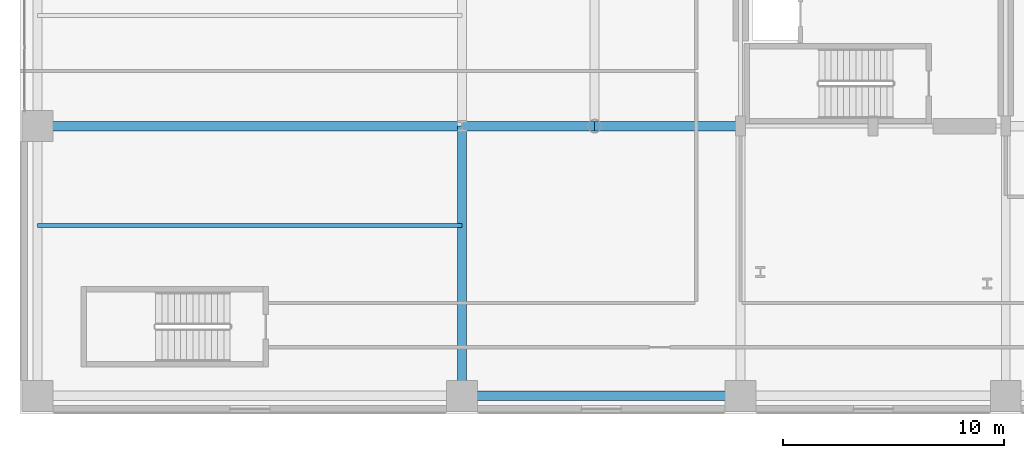
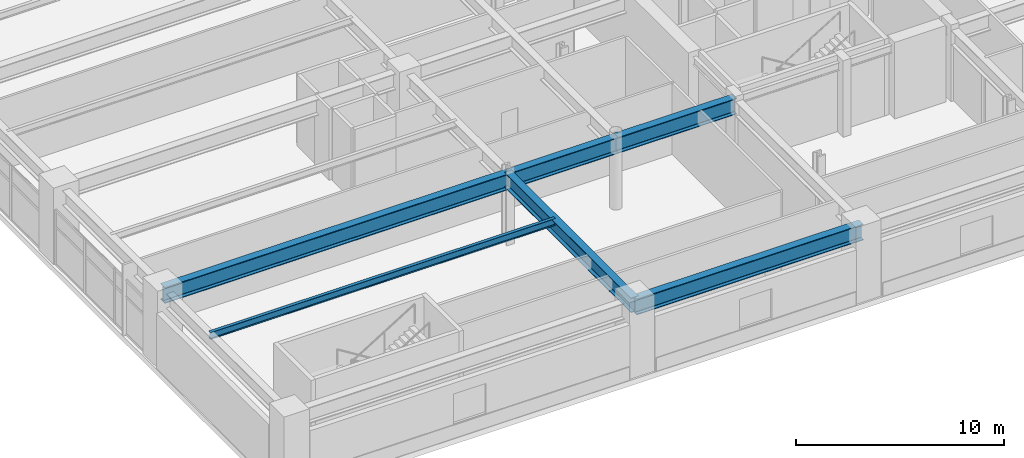
# One storey, part 6 of 28: 6 beams.
"""IFC4 building model written with IfcOpenShell, lengths in metres."""

import ifcopenshell
import ifcopenshell.guid

model = None  # the IFC model being written
_history = None  # IfcOwnerHistory: only IFC2X3 demands one
_inside = {}  # id of a spatial element -> (the spatial element, [elements in it])
_under = {}  # id of a project, library or spatial element -> (it, [spatial elements below it])
_declared = {}  # id of a project -> (the project, [libraries it declares])
_typed = {}  # id of a type object -> (the type object, [elements of that type])
_made_of = {}  # id of a material, layer set ... -> (it, [elements and type objects made of it])


def new_model(schema):
    """Start an empty IFC model of exactly this schema.

    Asked for "IFC4X3", IfcOpenShell would pick the latest addendum, in which some entities
    have other attributes; the version numbers below select the first issue.
    IFC2X3 requires an IfcOwnerHistory on every rooted entity: one is made here for all.
    """
    global model, _history
    if schema == "IFC4X3":
        model = ifcopenshell.file(schema_version=(4, 3, 0, 0))
    else:
        model = ifcopenshell.file(schema=schema)
    _inside.clear()
    _under.clear()
    _declared.clear()
    _typed.clear()
    _made_of.clear()
    _history = None
    if model.schema == "IFC2X3":
        org = make("IfcOrganization", Name="unknown")
        user = make(
            "IfcPersonAndOrganization",
            ThePerson=make("IfcPerson", FamilyName="unknown"),
            TheOrganization=org,
        )
        app = make(
            "IfcApplication",
            ApplicationDeveloper=org,
            Version="unknown",
            ApplicationFullName="unknown",
            ApplicationIdentifier="unknown",
        )
        _history = make(
            "IfcOwnerHistory",
            OwningUser=user,
            OwningApplication=app,
            ChangeAction="ADDED",
            CreationDate=0,
        )
    return model


def make(cls, **values):
    """One entity of the class cls with the attributes given. An attribute that is None is left unset."""
    return model.create_entity(
        cls, **{name: value for name, value in values.items() if value is not None}
    )


def rooted(cls, **values):
    """An entity with a GlobalId (a new one), such as an element, a storey or a relation."""
    return make(cls, GlobalId=ifcopenshell.guid.new(), OwnerHistory=_history, **values)


def si_unit(unit_type, name, prefix=None):
    """IfcSIUnit, for example si_unit("LENGTHUNIT", "METRE", prefix="MILLI")."""
    return make("IfcSIUnit", UnitType=unit_type, Prefix=prefix, Name=name)


def assignment(units):
    """IfcUnitAssignment: the units of a project."""
    return None if units is None else make("IfcUnitAssignment", Units=units)


def point(xyz):
    """IfcCartesianPoint."""
    return None if xyz is None else make("IfcCartesianPoint", Coordinates=xyz)


def direction(xyz):
    """IfcDirection."""
    return None if xyz is None else make("IfcDirection", DirectionRatios=xyz)


def frame(location, z_axis=None, x_axis=None):
    """IfcAxis2Placement3D, a coordinate frame: its origin and axes. An axis left out is left unset."""
    return make(
        "IfcAxis2Placement3D",
        Location=point(location),
        Axis=direction(z_axis),
        RefDirection=direction(x_axis),
    )


def frame_2d(location, x_axis=None):
    """IfcAxis2Placement2D, a coordinate frame in the plane: its origin and x axis."""
    return make(
        "IfcAxis2Placement2D", Location=point(location), RefDirection=direction(x_axis)
    )


def origin():
    """The frame at (0, 0, 0) with its axes left unset."""
    return frame((0.0, 0.0, 0.0))


def origin_2d():
    """The frame at (0, 0) in the plane with its x axis left unset."""
    return frame_2d((0.0, 0.0))


def place(relative_to, where):
    """IfcLocalPlacement: puts the frame where relative to a parent placement (None: the world)."""
    return make(
        "IfcLocalPlacement", PlacementRelTo=relative_to, RelativePlacement=where
    )


def context(
    kind, dimensions, precision=None, world=None, true_north=None, identifier=None
):
    """IfcGeometricRepresentationContext, for example the 3D "Model" context."""
    return make(
        "IfcGeometricRepresentationContext",
        ContextIdentifier=identifier,
        ContextType=kind,
        CoordinateSpaceDimension=dimensions,
        Precision=precision,
        WorldCoordinateSystem=world,
        TrueNorth=true_north,
    )


def subcontext(parent, identifier, kind, view, scale=None):
    """IfcGeometricRepresentationSubContext, for example "Body" below "Model"."""
    return make(
        "IfcGeometricRepresentationSubContext",
        ContextIdentifier=identifier,
        ContextType=kind,
        ParentContext=parent,
        TargetScale=scale,
        TargetView=view,
    )


def project(units=None, contexts=None):
    """IfcProject with its units and contexts."""
    return rooted(
        "IfcProject",
        Name="project",
        RepresentationContexts=contexts,
        UnitsInContext=assignment(units),
    )


def spatial(cls, under=None, at=None, **own):
    """A site, building, storey or space (cls), placed at a placement, below another one or the project."""
    s = rooted(cls, ObjectPlacement=at, **own)
    if under is not None:
        _under.setdefault(under.id(), (under, []))[1].append(s)
    return s


def profile(cls, at=None, kind="AREA", **sizes):
    """A parametric profile (cls). Its sizes go by their IFC names, for example OverallWidth=200.0."""
    return make(cls, ProfileType=kind, Position=at, **sizes)


def i_section(**sizes):
    """IfcIShapeProfileDef."""
    return profile("IfcIShapeProfileDef", **sizes)


def extrude(swept, where, along, depth):
    """IfcExtrudedAreaSolid: the profile swept, set in the frame where, extruded along a direction by depth."""
    return make(
        "IfcExtrudedAreaSolid",
        SweptArea=swept,
        Position=where,
        ExtrudedDirection=direction(along),
        Depth=depth,
    )


def shape(context_of_items, identifier, shape_type, items):
    """IfcShapeRepresentation: the items that make up one representation, for example the "Body"."""
    return make(
        "IfcShapeRepresentation",
        ContextOfItems=context_of_items,
        RepresentationIdentifier=identifier,
        RepresentationType=shape_type,
        Items=items,
    )


def material(Name=None, Category=None):
    """IfcMaterial."""
    return make("IfcMaterial", Name=Name, Category=Category)


def material_profile(
    of_material, cross_section, Name=None, Category=None, Priority=None
):
    """IfcMaterialProfile: a cross section and its material."""
    return make(
        "IfcMaterialProfile",
        Name=Name,
        Material=of_material,
        Profile=cross_section,
        Priority=Priority,
        Category=Category,
    )


def profile_set(profiles, Name=None, composite=None):
    """IfcMaterialProfileSet."""
    return make(
        "IfcMaterialProfileSet",
        Name=Name,
        MaterialProfiles=profiles,
        CompositeProfile=composite,
    )


def made_of(thing, what):
    """Note that an element or type object is made of a material, layer set ...; save() writes the relation."""
    if what is not None:
        _made_of.setdefault(what.id(), (what, []))[1].append(thing)
    return thing


def type_object(cls, material=None, **own):
    """A type object (cls), such as IfcWallType, which elements share."""
    return made_of(rooted(cls, **own), material)


def element(
    cls,
    number,
    at=None,
    inside=None,
    cuts=None,
    type_object=None,
    material=None,
    context=None,
    identifier="Body",
    shape_type=None,
    held_by="IfcProductDefinitionShape",
    body=None,
    shapes=None,
    **own,
):
    """One element of the class cls, such as IfcWall. Its Tag is "e" and its number.

    at: its placement. inside: the storey or other place that contains it. cuts: it is an
    opening in that element (IfcRelVoidsElement). A single representation is given by context,
    identifier, shape_type and body (its items); several are given by shapes. held_by: the class
    of the entity that holds the representations. save() writes the other relations.
    """
    e = rooted(cls, Tag="e%d" % number, ObjectPlacement=at, **own)
    if body is not None:
        shapes = [shape(context, identifier, shape_type, body)]
    if shapes is not None:
        e.Representation = make(held_by, Representations=shapes)
    if inside is not None:
        _inside.setdefault(inside.id(), (inside, []))[1].append(e)
    if cuts is not None:
        rooted(
            "IfcRelVoidsElement", RelatingBuildingElement=cuts, RelatedOpeningElement=e
        )
    if type_object is not None:
        _typed.setdefault(type_object.id(), (type_object, []))[1].append(e)
    return made_of(e, material)


def aggregate(whole, parts):
    """IfcRelAggregates: a whole, such as a stair, and the parts it consists of."""
    return rooted("IfcRelAggregates", RelatingObject=whole, RelatedObjects=parts)


def save(model, path):
    """Write the relations noted so far, then the file.

    IfcRelAggregates (storeys below a building ...), IfcRelContainedInSpatialStructure (elements
    in a storey), IfcRelDefinesByType, IfcRelAssociatesMaterial and IfcRelDeclares: one each for
    every whole, place, type object, material and project.
    """
    for whole, parts in _under.values():
        aggregate(whole, parts)
    for where, things in _inside.values():
        rooted(
            "IfcRelContainedInSpatialStructure",
            RelatedElements=things,
            RelatingStructure=where,
        )
    for kind, things in _typed.values():
        rooted("IfcRelDefinesByType", RelatedObjects=things, RelatingType=kind)
    for what, things in _made_of.values():
        rooted("IfcRelAssociatesMaterial", RelatedObjects=things, RelatingMaterial=what)
    for by, libraries in _declared.values():
        rooted("IfcRelDeclares", RelatingContext=by, RelatedDefinitions=libraries)
    model.write(path)


model = new_model("IFC4")

# Units and contexts
model_context = context("Model", 3, precision=1e-05, world=origin(), true_north=direction((0.0, 1.0)))
body_context = subcontext(model_context, "Body", "Model", "MODEL_VIEW")
ifc_project = project(units=[si_unit("LENGTHUNIT", "METRE"), si_unit("AREAUNIT", "SQUARE_METRE"), si_unit("VOLUMEUNIT", "CUBIC_METRE"), si_unit("PLANEANGLEUNIT", "RADIAN"), si_unit("MASSUNIT", "GRAM", prefix="KILO")], contexts=[model_context])

# Site, building, storey
site_placement = place(None, origin())
site = spatial("IfcSite", under=ifc_project, at=site_placement, CompositionType="ELEMENT")
building_placement = place(site_placement, origin())
building = spatial("IfcBuilding", under=site, at=building_placement, Name="Soratama Intermodal Tower", CompositionType="ELEMENT")
storey_placement = place(building_placement, frame((0.0, 0.0, 16.199951171875)))
storey = spatial("IfcBuildingStorey", under=building, at=storey_placement, Name="L03", CompositionType="ELEMENT", Elevation=16.199951171875)

# Beams
ifc_material_1 = material(Name="Structural steel ASTM A992 Grade 50", Category="steel")
ifc_material_profile_1 = material_profile(ifc_material_1, i_section(OverallWidth=0.177978515625, OverallDepth=0.406982421875, WebThickness=0.0078125, FlangeThickness=0.0126953125, FilletRadius=0.010009765625, at=origin_2d()), Name="W16X40")
ifc_profile_set_1 = profile_set([ifc_material_profile_1], Name="Structural steel ASTM A992 Grade 50")
beam_type_1 = type_object("IfcBeamType", Name="BM-JST-W16X40", PredefinedType="JOIST", material=ifc_profile_set_1)
beam_1_placement = place(storey_placement, frame((0.800048828125, 10.5, 3.9765625), z_axis=(1.0, 0.0, 0.0), x_axis=(0.0, 1.0, 0.0)))
element("IfcBeam", 1, at=beam_1_placement, inside=storey, type_object=beam_type_1, Name="JST-L03-W1", PredefinedType="JOIST", context=body_context, shape_type="SweptSolid", body=[
    extrude(i_section(OverallWidth=0.177978515625, OverallDepth=0.406982421875, WebThickness=0.0078125, FlangeThickness=0.0126953125, FilletRadius=0.010009765625, at=origin_2d()), origin(), (0.0, 0.0, 1.0), 19.199951171875),
])
ifc_material_2 = material(Name="Structural steel ASTM A992 Grade 50", Category="steel")
ifc_material_profile_2 = material_profile(ifc_material_2, i_section(OverallWidth=0.423095703125, OverallDepth=0.93896484375, WebThickness=0.02392578125, FlangeThickness=0.042724609375, FilletRadius=0.02392578125, at=origin_2d()), Name="W36X302")
ifc_profile_set_2 = profile_set([ifc_material_profile_2], Name="Structural steel ASTM A992 Grade 50")
beam_type_2 = type_object("IfcBeamType", Name="BM-POD-EXT-W36", PredefinedType="BEAM", material=ifc_profile_set_2)
beam_2_placement = place(storey_placement, frame((20.0, 2.800048828125, 3.71044921875), z_axis=(1.0, 0.0, 0.0), x_axis=(0.0, 1.0, 0.0)))
element("IfcBeam", 2, at=beam_2_placement, inside=storey, type_object=beam_type_2, Name="L03 Station Girder X1-2", PredefinedType="BEAM", context=body_context, shape_type="SweptSolid", body=[
    extrude(i_section(OverallWidth=0.423095703125, OverallDepth=0.93896484375, WebThickness=0.02392578125, FlangeThickness=0.042724609375, FilletRadius=0.02392578125, at=origin_2d()), origin(), (0.0, 0.0, 1.0), 12.60009765625),
])
ifc_material_3 = material(Name="Structural steel ASTM A992 Grade 50", Category="steel")
ifc_material_profile_3 = material_profile(ifc_material_3, i_section(OverallWidth=0.403076171875, OverallDepth=0.867919921875, WebThickness=0.02099609375, FlangeThickness=0.03564453125, FilletRadius=0.01806640625, at=origin_2d()), Name="W33X241")
ifc_profile_set_3 = profile_set([ifc_material_profile_3], Name="Structural steel ASTM A992 Grade 50")
beam_type_3 = type_object("IfcBeamType", Name="BM-POD-W33X241", PredefinedType="BEAM", material=ifc_profile_set_3)
beam_3_placement = place(storey_placement, frame((20.0, 2.800048828125, 3.74609375), z_axis=(0.0, 1.0, 0.0), x_axis=(-1.0, 0.0, 0.0)))
element("IfcBeam", 3, at=beam_3_placement, inside=storey, type_object=beam_type_3, Name="L03 Station Girder Y2-1", PredefinedType="BEAM", context=body_context, shape_type="SweptSolid", body=[
    extrude(i_section(OverallWidth=0.403076171875, OverallDepth=0.867919921875, WebThickness=0.02099609375, FlangeThickness=0.03564453125, FilletRadius=0.01806640625, at=origin_2d()), origin(), (0.0, 0.0, 1.0), 12.199951171875),
])
ifc_material_4 = material(Name="Structural steel ASTM A992 Grade 50", Category="steel")
ifc_material_profile_4 = material_profile(ifc_material_4, i_section(OverallWidth=0.423095703125, OverallDepth=0.93896484375, WebThickness=0.02392578125, FlangeThickness=0.042724609375, FilletRadius=0.02392578125, at=origin_2d()), Name="W36X302")
ifc_profile_set_4 = profile_set([ifc_material_profile_4], Name="Structural steel ASTM A992 Grade 50")
beam_type_4 = type_object("IfcBeamType", Name="BM-POD-W36X302", PredefinedType="BEAM", material=ifc_profile_set_4)
beam_4_placement = place(storey_placement, frame((0.800048828125, 15.0, 3.71044921875), z_axis=(1.0, 0.0, 0.0), x_axis=(0.0, 1.0, 0.0)))
element("IfcBeam", 4, at=beam_4_placement, inside=storey, type_object=beam_type_4, Name="L03 Station Girder X2-1", PredefinedType="BEAM", context=body_context, shape_type="SweptSolid", body=[
    extrude(i_section(OverallWidth=0.423095703125, OverallDepth=0.93896484375, WebThickness=0.02392578125, FlangeThickness=0.042724609375, FilletRadius=0.02392578125, at=origin_2d()), origin(), (0.0, 0.0, 1.0), 19.199951171875),
])
beam_5_placement = place(storey_placement, frame((20.0, 15.0, 3.71044921875), z_axis=(1.0, 0.0, 0.0), x_axis=(0.0, 1.0, 0.0)))
element("IfcBeam", 5, at=beam_5_placement, inside=storey, type_object=beam_type_4, Name="L03 Station Girder X2-2", PredefinedType="BEAM", context=body_context, shape_type="SweptSolid", body=[
    extrude(i_section(OverallWidth=0.423095703125, OverallDepth=0.93896484375, WebThickness=0.02392578125, FlangeThickness=0.042724609375, FilletRadius=0.02392578125, at=origin_2d()), origin(), (0.0, 0.0, 1.0), 6.0),
])
beam_6_placement = place(storey_placement, frame((26.0, 15.0, 3.71044921875), z_axis=(1.0, 0.0, 0.0), x_axis=(0.0, 1.0, 0.0)))
element("IfcBeam", 6, at=beam_6_placement, inside=storey, type_object=beam_type_4, Name="L03 Station Girder X2-3", PredefinedType="BEAM", context=body_context, shape_type="SweptSolid", body=[
    extrude(i_section(OverallWidth=0.423095703125, OverallDepth=0.93896484375, WebThickness=0.02392578125, FlangeThickness=0.042724609375, FilletRadius=0.02392578125, at=origin_2d()), origin(), (0.0, 0.0, 1.0), 6.60009765625),
])

save(model, "model.ifc")
